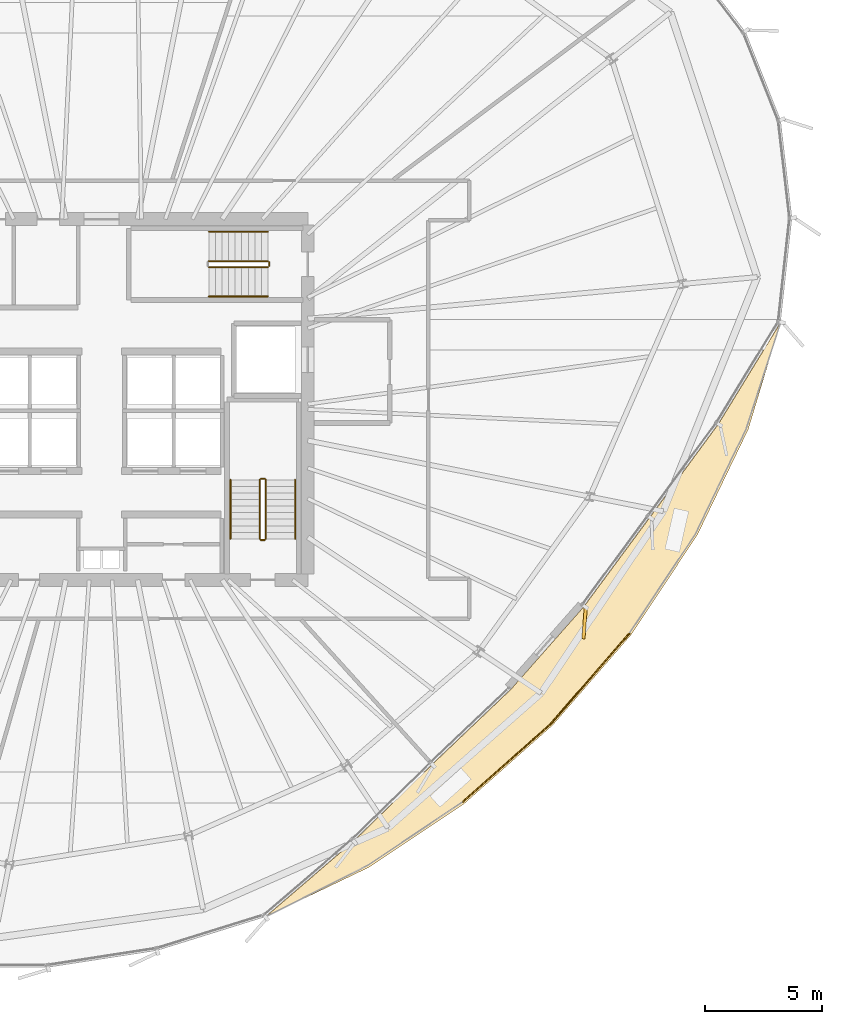
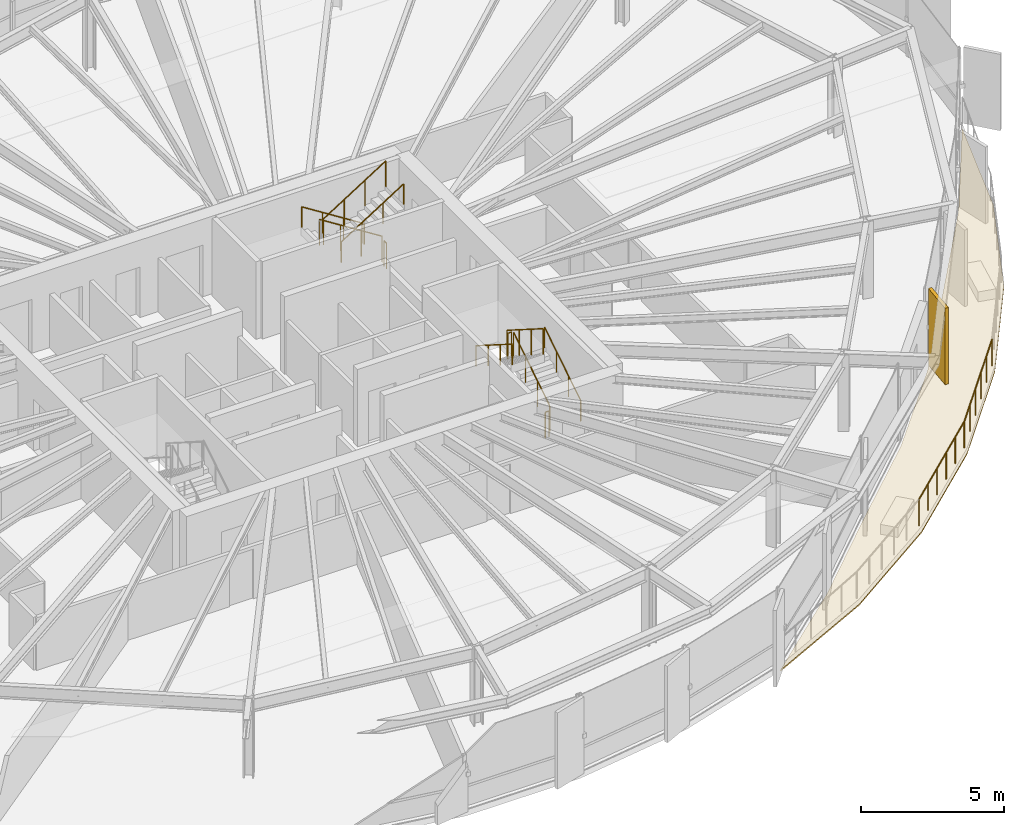
# One storey, part 33 of 34: 13 railings, 2 coverings.
"""IFC4 building model written with IfcOpenShell, lengths in metres."""

from ifc_helpers import new_model, si_unit, direction, frame, origin, origin_2d, place, context, subcontext, project, spatial, polyline, rectangle, circle, outline, extrude, source, transform, mapped, material, layer, layer_set, type_object, element, save


model = new_model("IFC4")

# Units and contexts
model_context = context("Model", 3, precision=1e-05, world=origin(), true_north=direction((0.0, 1.0)))
body_context = subcontext(model_context, "Body", "Model", "MODEL_VIEW")
ifc_project = project(units=[si_unit("LENGTHUNIT", "METRE"), si_unit("AREAUNIT", "SQUARE_METRE"), si_unit("VOLUMEUNIT", "CUBIC_METRE"), si_unit("PLANEANGLEUNIT", "RADIAN"), si_unit("MASSUNIT", "GRAM", prefix="KILO"), si_unit("THERMODYNAMICTEMPERATUREUNIT", "KELVIN")], contexts=[model_context])

# Site, building, storey
site_placement = place(None, origin())
site = spatial("IfcSite", under=ifc_project, at=site_placement, CompositionType="ELEMENT")
building_placement = place(site_placement, origin())
building = spatial("IfcBuilding", under=site, at=building_placement, Name="Kethvar Cultural Tower", CompositionType="ELEMENT")
storey_placement = place(building_placement, frame((0.0, 0.0, 153.64990234375)))
storey = spatial("IfcBuildingStorey", under=building, at=storey_placement, Name="L39", CompositionType="ELEMENT", Elevation=153.64990234375)

# Covering
ifc_material_1 = material(Name="Insulated Waterproofing Membrane")
ifc_layer_1 = layer(ifc_material_1, 0.06005859375, Name="Insulated Waterproofing Membrane")
ifc_layer_set_1 = layer_set([ifc_layer_1], Name="Insulated Waterproofing Membrane (60 mm)")
covering_type_1 = type_object("IfcCoveringType", Name="CV-ROOF-MEMB", PredefinedType="ROOFING", material=ifc_layer_set_1)
covering_1_placement = place(storey_placement, frame((0.0, 0.0, -0.27490234375)))
element("IfcCovering", 1, at=covering_1_placement, inside=storey, type_object=covering_type_1, Name="L39 Terrace Waterproofing", PredefinedType="ROOFING", context=body_context, shape_type="SweptSolid", body=[
    extrude(outline(polyline([(53.79150390625, 5.70849609375), (58.197021484375, 7.819091796875), (62.295654296875, 10.55908203125), (66.059814453125, 13.90087890625), (69.409912109375, 17.762451171875), (72.233642578125, 22.02099609375), (74.4033203125, 26.5224609375), (75.789306640625, 31.094482421875), (73.131591796875, 26.753662109375), (70.205810546875, 22.77099609375), (67.380859375, 18.9482421875), (64.267578125, 15.4208984375), (60.91455078125, 12.222412109375), (57.556640625, 8.941650390625), (53.79150390625, 5.70849609375)])), origin(), (0.0, 0.0, 1.0), 0.06005859375),
])

# Railings
ifc_material_2 = material(Name="Steel S355J2", Category="steel")
railing_type_1 = type_object("IfcRailingType", Name="RL-EXT-GUARD-1150", PredefinedType="BALUSTRADE", material=ifc_material_2)
railing_1_placement = place(storey_placement, frame((62.228759765625, 10.633544921875, 0.0)))
element("IfcRailing", 2, at=railing_1_placement, inside=storey, type_object=railing_type_1, Name="L39 Spiralling Terrace Balustrade 03", PredefinedType="BALUSTRADE", context=body_context, shape_type="SweptSolid", body=[
    extrude(circle(Radius=0.02392578125, at=origin_2d()), frame((0.0, 0.0, 1.1259765625), z_axis=(0.7481424941, 0.663538098771, 0.0), x_axis=(-0.663538098771, 0.7481424941, 0.0)), (0.0, 0.0, 1.0), 5.012451171875),
    extrude(circle(Radius=0.02099609375, at=origin_2d()), origin(), (0.0, 0.0, 1.0), 1.101806640625),
    extrude(circle(Radius=0.02099609375, at=origin_2d()), frame((0.75, 0.665283203125, 0.0)), (0.0, 0.0, 1.0), 1.101806640625),
    extrude(circle(Radius=0.02099609375, at=origin_2d()), frame((1.5, 1.330322265625, 0.0)), (0.0, 0.0, 1.0), 1.101806640625),
    extrude(circle(Radius=0.02099609375, at=origin_2d()), frame((2.25, 1.99560546875, 0.0)), (0.0, 0.0, 1.0), 1.101806640625),
    extrude(circle(Radius=0.02099609375, at=origin_2d()), frame((3.0, 2.66064453125, 0.0)), (0.0, 0.0, 1.0), 1.101806640625),
    extrude(circle(Radius=0.02099609375, at=origin_2d()), frame((3.75, 3.325927734375, 0.0)), (0.0, 0.0, 1.0), 1.101806640625),
])
railing_2_placement = place(storey_placement, frame((65.978759765625, 13.95947265625, 0.0)))
element("IfcRailing", 3, at=railing_2_placement, inside=storey, type_object=railing_type_1, Name="L39 Spiralling Terrace Balustrade 04", PredefinedType="BALUSTRADE", context=body_context, shape_type="SweptSolid", body=[
    extrude(circle(Radius=0.02392578125, at=origin_2d()), frame((0.0, 0.0, 1.1259765625), z_axis=(0.655890200611, 0.754856307348, 0.0), x_axis=(-0.754856307348, 0.655890200611, 0.0)), (0.0, 0.0, 1.0), 5.091796875),
    extrude(circle(Radius=0.02099609375, at=origin_2d()), origin(), (0.0, 0.0, 1.0), 1.101806640625),
    extrude(circle(Radius=0.02099609375, at=origin_2d()), frame((0.66796875, 0.768798828125, 0.0)), (0.0, 0.0, 1.0), 1.101806640625),
    extrude(circle(Radius=0.02099609375, at=origin_2d()), frame((1.3359375, 1.537353515625, 0.0)), (0.0, 0.0, 1.0), 1.101806640625),
    extrude(circle(Radius=0.02099609375, at=origin_2d()), frame((2.003662109375, 2.30615234375, 0.0)), (0.0, 0.0, 1.0), 1.101806640625),
    extrude(circle(Radius=0.02099609375, at=origin_2d()), frame((2.671630859375, 3.07470703125, 0.0)), (0.0, 0.0, 1.0), 1.101806640625),
    extrude(circle(Radius=0.02099609375, at=origin_2d()), frame((3.339599609375, 3.843505859375, 0.0)), (0.0, 0.0, 1.0), 1.101806640625),
])
railing_type_2 = type_object("IfcRailingType", Name="RL-STAIR-GUARD", PredefinedType="BALUSTRADE", material=ifc_material_2)
railing_3_placement = place(storey_placement, frame((53.81005859375, 21.85009765625, 0.177490234375)))
element("IfcRailing", 4, at=railing_3_placement, inside=storey, type_object=railing_type_2, Name="L39 ST-02 stair guard 1", PredefinedType="BALUSTRADE", context=body_context, shape_type="SweptSolid", body=[
    extrude(circle(Radius=0.02392578125, at=origin_2d()), frame((0.0, 0.0, 1.09619140625), z_axis=(0.0, 0.84456994832, 0.535445237532), x_axis=(-1.0, 0.0, 0.0)), (0.0, 0.0, 1.0), 2.98388671875),
    extrude(circle(Radius=0.02099609375, at=origin_2d()), origin(), (0.0, 0.0, 1.0), 1.072021484375),
    extrude(circle(Radius=0.02099609375, at=origin_2d()), frame((0.0, 0.840087890625, 0.532470703125)), (0.0, 0.0, 1.0), 1.072021484375),
    extrude(circle(Radius=0.02099609375, at=origin_2d()), frame((0.0, 1.679931640625, 1.065185546875)), (0.0, 0.0, 1.0), 1.072021484375),
    extrude(circle(Radius=0.02099609375, at=origin_2d()), frame((0.0, 2.52001953125, 1.59765625)), (0.0, 0.0, 1.0), 1.072021484375),
])
railing_4_placement = place(storey_placement, frame((53.760009765625, 24.419921875, 1.775146484375)))
element("IfcRailing", 5, at=railing_4_placement, inside=storey, type_object=railing_type_2, Name="L39 ST-02 stair guard 2", PredefinedType="BALUSTRADE", context=body_context, shape_type="SweptSolid", body=[
    extrude(circle(Radius=0.02392578125, at=origin_2d()), frame((0.0, 0.0, 1.09619140625), z_axis=(-1.0, 0.0, 0.0), x_axis=(0.0, -1.0, 0.0)), (0.0, 0.0, 1.0), 0.159912109375),
    extrude(circle(Radius=0.02099609375, at=origin_2d()), origin(), (0.0, 0.0, 1.0), 1.072021484375),
    extrude(circle(Radius=0.02099609375, at=origin_2d()), frame((-0.159912109375, 0.0, 0.0)), (0.0, 0.0, 1.0), 1.072021484375),
])
railing_5_placement = place(storey_placement, frame((53.550048828125, 24.3701171875, 1.95263671875)))
element("IfcRailing", 6, at=railing_5_placement, inside=storey, type_object=railing_type_2, Name="L39 ST-02 stair guard 3", PredefinedType="BALUSTRADE", context=body_context, shape_type="SweptSolid", body=[
    extrude(circle(Radius=0.02392578125, at=origin_2d()), frame((0.0, 0.0, 1.09619140625), z_axis=(0.0, -0.84460694969, 0.535386869969), x_axis=(1.0, 0.0, 0.0)), (0.0, 0.0, 1.0), 2.983642578125),
    extrude(circle(Radius=0.02099609375, at=origin_2d()), origin(), (0.0, 0.0, 1.0), 1.072021484375),
    extrude(circle(Radius=0.02099609375, at=origin_2d()), frame((0.0, -0.840087890625, 0.532470703125)), (0.0, 0.0, 1.0), 1.072021484375),
    extrude(circle(Radius=0.02099609375, at=origin_2d()), frame((0.0, -1.679931640625, 1.06494140625)), (0.0, 0.0, 1.0), 1.072021484375),
    extrude(circle(Radius=0.02099609375, at=origin_2d()), frame((0.0, -2.52001953125, 1.597412109375)), (0.0, 0.0, 1.0), 1.072021484375),
])
railing_6_placement = place(storey_placement, frame((53.760009765625, 21.800048828125, 0.0)))
element("IfcRailing", 7, at=railing_6_placement, inside=storey, type_object=railing_type_2, Name="L39 ST-02 stair guard 4", PredefinedType="BALUSTRADE", context=body_context, shape_type="SweptSolid", body=[
    extrude(circle(Radius=0.02392578125, at=origin_2d()), frame((0.0, 0.0, 1.09619140625), z_axis=(-1.0, 0.0, 0.0), x_axis=(0.0, -1.0, 0.0)), (0.0, 0.0, 1.0), 0.159912109375),
    extrude(circle(Radius=0.02099609375, at=origin_2d()), origin(), (0.0, 0.0, 1.0), 1.072021484375),
    extrude(circle(Radius=0.02099609375, at=origin_2d()), frame((-0.159912109375, 0.0, 0.0)), (0.0, 0.0, 1.0), 1.072021484375),
])
railing_7_placement = place(storey_placement, frame((53.89990234375, 33.7099609375, 0.177490234375)))
element("IfcRailing", 8, at=railing_7_placement, inside=storey, type_object=railing_type_2, Name="L39 ST-03 stair guard 1", PredefinedType="BALUSTRADE", context=body_context, shape_type="SweptSolid", body=[
    extrude(circle(Radius=0.02392578125, at=origin_2d()), frame((0.0, 0.0, 1.09619140625), z_axis=(-0.84456994832, 0.0, 0.535445237532), x_axis=(0.0, -1.0, 0.0)), (0.0, 0.0, 1.0), 2.98388671875),
    extrude(circle(Radius=0.02099609375, at=origin_2d()), origin(), (0.0, 0.0, 1.0), 1.072021484375),
    extrude(circle(Radius=0.02099609375, at=origin_2d()), frame((-0.840087890625, 0.0, 0.532470703125)), (0.0, 0.0, 1.0), 1.072021484375),
    extrude(circle(Radius=0.02099609375, at=origin_2d()), frame((-1.679931640625, 0.0, 1.065185546875)), (0.0, 0.0, 1.0), 1.072021484375),
    extrude(circle(Radius=0.02099609375, at=origin_2d()), frame((-2.52001953125, 0.0, 1.59765625)), (0.0, 0.0, 1.0), 1.072021484375),
])
railing_8_placement = place(storey_placement, frame((51.3798828125, 33.449951171875, 1.95263671875)))
element("IfcRailing", 9, at=railing_8_placement, inside=storey, type_object=railing_type_2, Name="L39 ST-03 stair guard 3", PredefinedType="BALUSTRADE", context=body_context, shape_type="SweptSolid", body=[
    extrude(circle(Radius=0.02392578125, at=origin_2d()), frame((0.0, 0.0, 1.09619140625), z_axis=(0.84460694969, 0.0, 0.535386869969), x_axis=(0.0, 1.0, 0.0)), (0.0, 0.0, 1.0), 2.983642578125),
    extrude(circle(Radius=0.02099609375, at=origin_2d()), origin(), (0.0, 0.0, 1.0), 1.072021484375),
    extrude(circle(Radius=0.02099609375, at=origin_2d()), frame((0.840087890625, 0.0, 0.532470703125)), (0.0, 0.0, 1.0), 1.072021484375),
    extrude(circle(Radius=0.02099609375, at=origin_2d()), frame((1.679931640625, 0.0, 1.06494140625)), (0.0, 0.0, 1.0), 1.072021484375),
    extrude(circle(Radius=0.02099609375, at=origin_2d()), frame((2.52001953125, 0.0, 1.597412109375)), (0.0, 0.0, 1.0), 1.072021484375),
])
railing_9_placement = place(storey_placement, frame((53.949951171875, 33.659912109375, 0.0)))
element("IfcRailing", 10, at=railing_9_placement, inside=storey, type_object=railing_type_2, Name="L39 ST-03 stair guard 4", PredefinedType="BALUSTRADE", context=body_context, shape_type="SweptSolid", body=[
    extrude(circle(Radius=0.02392578125, at=origin_2d()), frame((0.0, 0.0, 1.09619140625), z_axis=(0.0, -1.0, 0.0), x_axis=(1.0, 0.0, 0.0)), (0.0, 0.0, 1.0), 0.159912109375),
    extrude(circle(Radius=0.02099609375, at=origin_2d()), origin(), (0.0, 0.0, 1.0), 1.072021484375),
    extrude(circle(Radius=0.02099609375, at=origin_2d()), frame((0.0, -0.159912109375, 0.0)), (0.0, 0.0, 1.0), 1.072021484375),
])
railing_type_3 = type_object("IfcRailingType", Name="RL-STAIR-HANDRAIL", PredefinedType="HANDRAIL", material=ifc_material_2)
railing_10_placement = place(storey_placement, frame((55.06005859375, 21.85009765625, 0.177490234375)))
element("IfcRailing", 11, at=railing_10_placement, inside=storey, type_object=railing_type_3, Name="L39 ST-02 stair handrail 1", PredefinedType="HANDRAIL", context=body_context, shape_type="SweptSolid", body=[
    extrude(circle(Radius=0.02392578125, at=origin_2d()), frame((0.0, 0.0, 0.8759765625), z_axis=(0.0, 0.84456994832, 0.535445237532), x_axis=(-1.0, 0.0, 0.0)), (0.0, 0.0, 1.0), 2.98388671875),
    extrude(circle(Radius=0.02099609375, at=origin_2d()), origin(), (0.0, 0.0, 1.0), 0.851806640625),
    extrude(circle(Radius=0.02099609375, at=origin_2d()), frame((0.0, 0.840087890625, 0.532470703125)), (0.0, 0.0, 1.0), 0.851806640625),
    extrude(circle(Radius=0.02099609375, at=origin_2d()), frame((0.0, 1.679931640625, 1.065185546875)), (0.0, 0.0, 1.0), 0.851806640625),
    extrude(circle(Radius=0.02099609375, at=origin_2d()), frame((0.0, 2.52001953125, 1.59765625)), (0.0, 0.0, 1.0), 0.851806640625),
])
railing_11_placement = place(storey_placement, frame((52.300048828125, 24.3701171875, 1.95263671875)))
element("IfcRailing", 12, at=railing_11_placement, inside=storey, type_object=railing_type_3, Name="L39 ST-02 stair handrail 2", PredefinedType="HANDRAIL", context=body_context, shape_type="SweptSolid", body=[
    extrude(circle(Radius=0.02392578125, at=origin_2d()), frame((0.0, 0.0, 0.8759765625), z_axis=(0.0, -0.84460694969, 0.535386869969), x_axis=(1.0, 0.0, 0.0)), (0.0, 0.0, 1.0), 2.983642578125),
    extrude(circle(Radius=0.02099609375, at=origin_2d()), origin(), (0.0, 0.0, 1.0), 0.851806640625),
    extrude(circle(Radius=0.02099609375, at=origin_2d()), frame((0.0, -0.840087890625, 0.532470703125)), (0.0, 0.0, 1.0), 0.851806640625),
    extrude(circle(Radius=0.02099609375, at=origin_2d()), frame((0.0, -1.679931640625, 1.06494140625)), (0.0, 0.0, 1.0), 0.851806640625),
    extrude(circle(Radius=0.02099609375, at=origin_2d()), frame((0.0, -2.52001953125, 1.597412109375)), (0.0, 0.0, 1.0), 0.851806640625),
])
railing_12_placement = place(storey_placement, frame((53.89990234375, 34.9599609375, 0.177490234375)))
element("IfcRailing", 13, at=railing_12_placement, inside=storey, type_object=railing_type_3, Name="L39 ST-03 stair handrail 1", PredefinedType="HANDRAIL", context=body_context, shape_type="SweptSolid", body=[
    extrude(circle(Radius=0.02392578125, at=origin_2d()), frame((0.0, 0.0, 0.8759765625), z_axis=(-0.84456994832, 0.0, 0.535445237532), x_axis=(0.0, -1.0, 0.0)), (0.0, 0.0, 1.0), 2.98388671875),
    extrude(circle(Radius=0.02099609375, at=origin_2d()), origin(), (0.0, 0.0, 1.0), 0.851806640625),
    extrude(circle(Radius=0.02099609375, at=origin_2d()), frame((-0.840087890625, 0.0, 0.532470703125)), (0.0, 0.0, 1.0), 0.851806640625),
    extrude(circle(Radius=0.02099609375, at=origin_2d()), frame((-1.679931640625, 0.0, 1.065185546875)), (0.0, 0.0, 1.0), 0.851806640625),
    extrude(circle(Radius=0.02099609375, at=origin_2d()), frame((-2.52001953125, 0.0, 1.59765625)), (0.0, 0.0, 1.0), 0.851806640625),
])
railing_13_placement = place(storey_placement, frame((51.3798828125, 32.199951171875, 1.95263671875)))
element("IfcRailing", 14, at=railing_13_placement, inside=storey, type_object=railing_type_3, Name="L39 ST-03 stair handrail 2", PredefinedType="HANDRAIL", context=body_context, shape_type="SweptSolid", body=[
    extrude(circle(Radius=0.02392578125, at=origin_2d()), frame((0.0, 0.0, 0.8759765625), z_axis=(0.84460694969, 0.0, 0.535386869969), x_axis=(0.0, 1.0, 0.0)), (0.0, 0.0, 1.0), 2.983642578125),
    extrude(circle(Radius=0.02099609375, at=origin_2d()), origin(), (0.0, 0.0, 1.0), 0.851806640625),
    extrude(circle(Radius=0.02099609375, at=origin_2d()), frame((0.840087890625, 0.0, 0.532470703125)), (0.0, 0.0, 1.0), 0.851806640625),
    extrude(circle(Radius=0.02099609375, at=origin_2d()), frame((1.679931640625, 0.0, 1.06494140625)), (0.0, 0.0, 1.0), 0.851806640625),
    extrude(circle(Radius=0.02099609375, at=origin_2d()), frame((2.52001953125, 0.0, 1.597412109375)), (0.0, 0.0, 1.0), 0.851806640625),
])

# Covering
ifc_material_3 = material(Name="Extruded Architectural Terracotta", Category="masonry")
ifc_layer_2 = layer(ifc_material_3, 0.135009765625, Name="Extruded Architectural Terracotta", Category="masonry")
ifc_layer_set_2 = layer_set([ifc_layer_2], Name="Extruded Architectural Terracotta (135 mm)")
covering_type_2 = type_object("IfcCoveringType", Name="Terracotta Facade Fin FIN-02", PredefinedType="CLADDING", material=ifc_layer_set_2)
shared_shape = source(origin(), body_context, "Body", "SweptSolid", [
    extrude(rectangle(XDim=1.35009765625, YDim=0.135009765625, at=origin_2d()), origin(), (0.0, 0.0, 1.0), 3.260009765625),
])
covering_2_placement = place(storey_placement, frame((67.417724609375, 18.2587890625, 0.02001953125), z_axis=(0.0, 0.0, 1.0), x_axis=(-0.074804684047, -0.997198204594, 0.0)))
element("IfcCovering", 15, at=covering_2_placement, inside=storey, type_object=covering_type_2, Name="L39 Vertical Terracotta Fin 6.1", PredefinedType="CLADDING", context=body_context, shape_type="MappedRepresentation", body=[
    mapped(shared_shape, transform((0.0, 0.0, 0.0), scale=1.0)),
])

save(model, "model.ifc")
